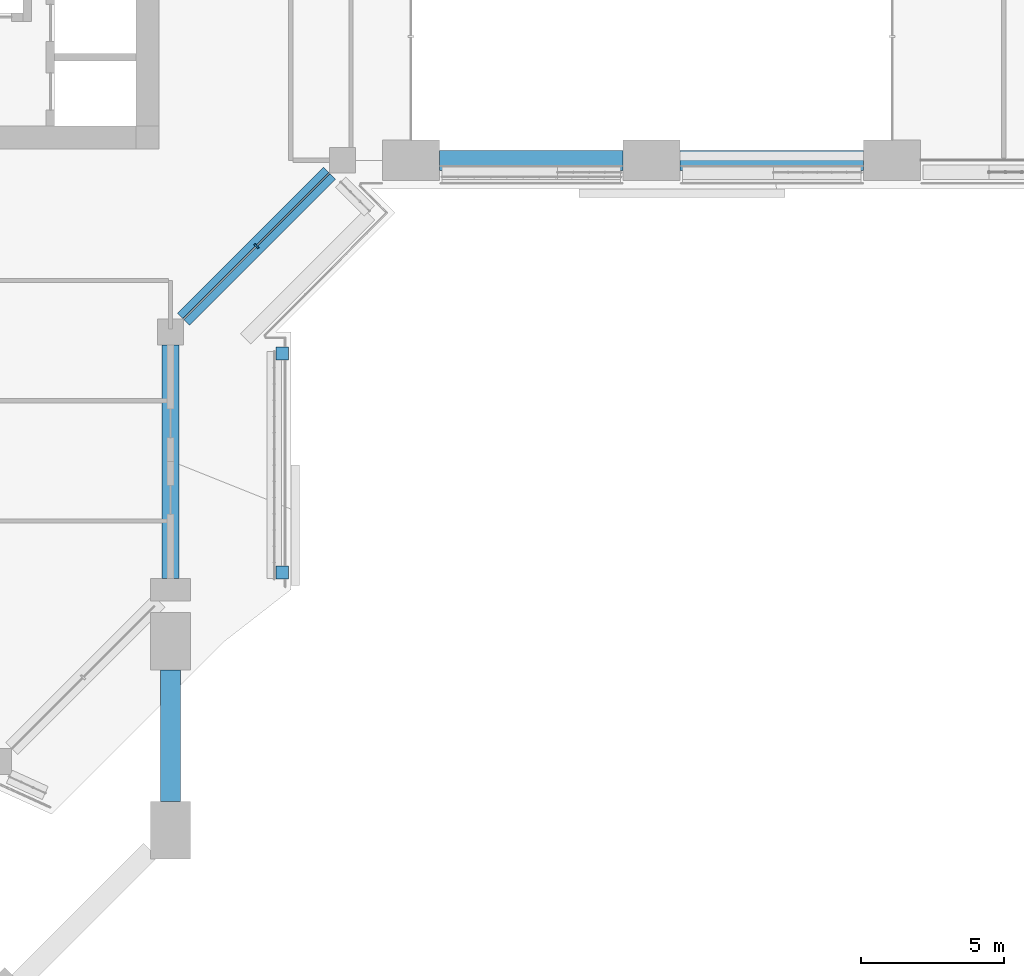
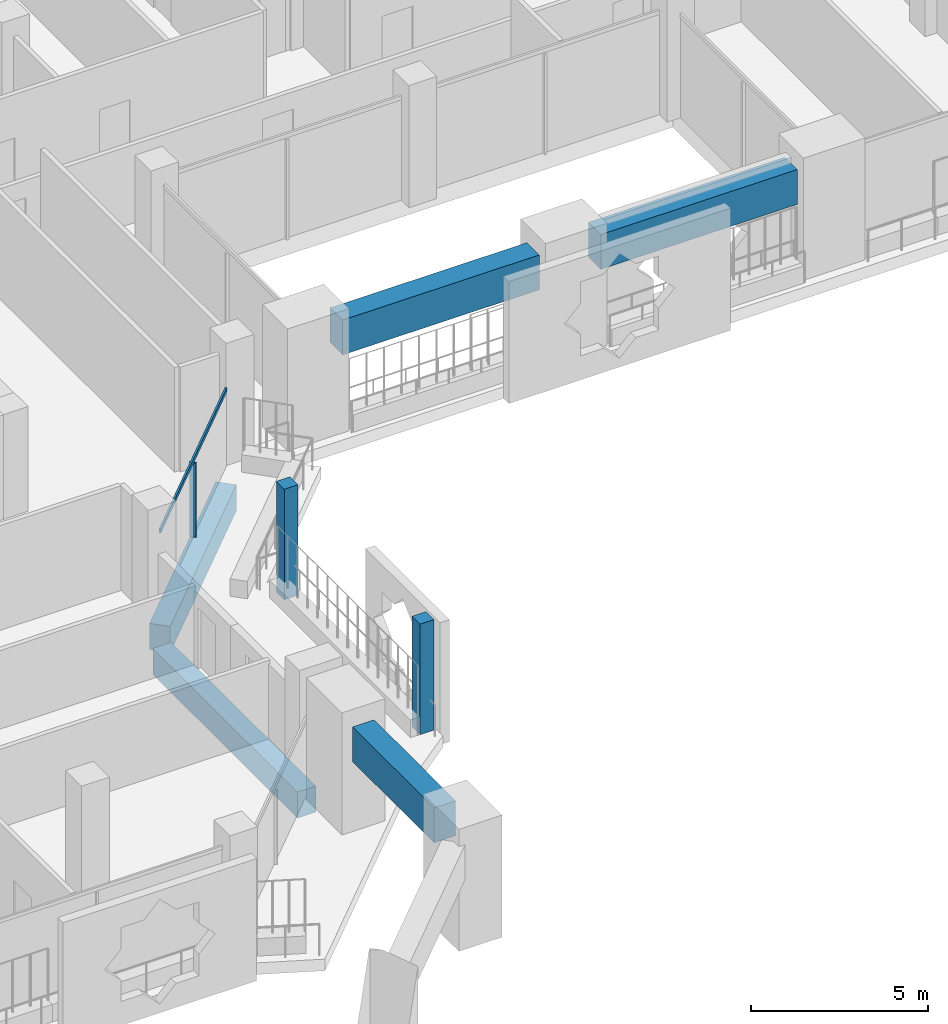
# One storey, part 4 of 23: 5 beams, 4 members, 2 elements without a shape of their own.
"""IFC4 building model written with IfcOpenShell, lengths in metres."""

import ifcopenshell
import ifcopenshell.guid

model = None  # the IFC model being written
_history = None  # IfcOwnerHistory: only IFC2X3 demands one
_inside = {}  # id of a spatial element -> (the spatial element, [elements in it])
_under = {}  # id of a project, library or spatial element -> (it, [spatial elements below it])
_declared = {}  # id of a project -> (the project, [libraries it declares])
_typed = {}  # id of a type object -> (the type object, [elements of that type])
_made_of = {}  # id of a material, layer set ... -> (it, [elements and type objects made of it])


def new_model(schema):
    """Start an empty IFC model of exactly this schema.

    Asked for "IFC4X3", IfcOpenShell would pick the latest addendum, in which some entities
    have other attributes; the version numbers below select the first issue.
    IFC2X3 requires an IfcOwnerHistory on every rooted entity: one is made here for all.
    """
    global model, _history
    if schema == "IFC4X3":
        model = ifcopenshell.file(schema_version=(4, 3, 0, 0))
    else:
        model = ifcopenshell.file(schema=schema)
    _inside.clear()
    _under.clear()
    _declared.clear()
    _typed.clear()
    _made_of.clear()
    _history = None
    if model.schema == "IFC2X3":
        org = make("IfcOrganization", Name="unknown")
        user = make(
            "IfcPersonAndOrganization",
            ThePerson=make("IfcPerson", FamilyName="unknown"),
            TheOrganization=org,
        )
        app = make(
            "IfcApplication",
            ApplicationDeveloper=org,
            Version="unknown",
            ApplicationFullName="unknown",
            ApplicationIdentifier="unknown",
        )
        _history = make(
            "IfcOwnerHistory",
            OwningUser=user,
            OwningApplication=app,
            ChangeAction="ADDED",
            CreationDate=0,
        )
    return model


def make(cls, **values):
    """One entity of the class cls with the attributes given. An attribute that is None is left unset."""
    return model.create_entity(
        cls, **{name: value for name, value in values.items() if value is not None}
    )


def rooted(cls, **values):
    """An entity with a GlobalId (a new one), such as an element, a storey or a relation."""
    return make(cls, GlobalId=ifcopenshell.guid.new(), OwnerHistory=_history, **values)


def si_unit(unit_type, name, prefix=None):
    """IfcSIUnit, for example si_unit("LENGTHUNIT", "METRE", prefix="MILLI")."""
    return make("IfcSIUnit", UnitType=unit_type, Prefix=prefix, Name=name)


def assignment(units):
    """IfcUnitAssignment: the units of a project."""
    return None if units is None else make("IfcUnitAssignment", Units=units)


def point(xyz):
    """IfcCartesianPoint."""
    return None if xyz is None else make("IfcCartesianPoint", Coordinates=xyz)


def direction(xyz):
    """IfcDirection."""
    return None if xyz is None else make("IfcDirection", DirectionRatios=xyz)


def frame(location, z_axis=None, x_axis=None):
    """IfcAxis2Placement3D, a coordinate frame: its origin and axes. An axis left out is left unset."""
    return make(
        "IfcAxis2Placement3D",
        Location=point(location),
        Axis=direction(z_axis),
        RefDirection=direction(x_axis),
    )


def frame_2d(location, x_axis=None):
    """IfcAxis2Placement2D, a coordinate frame in the plane: its origin and x axis."""
    return make(
        "IfcAxis2Placement2D", Location=point(location), RefDirection=direction(x_axis)
    )


def origin():
    """The frame at (0, 0, 0) with its axes left unset."""
    return frame((0.0, 0.0, 0.0))


def origin_2d():
    """The frame at (0, 0) in the plane with its x axis left unset."""
    return frame_2d((0.0, 0.0))


def place(relative_to, where):
    """IfcLocalPlacement: puts the frame where relative to a parent placement (None: the world)."""
    return make(
        "IfcLocalPlacement", PlacementRelTo=relative_to, RelativePlacement=where
    )


def context(
    kind, dimensions, precision=None, world=None, true_north=None, identifier=None
):
    """IfcGeometricRepresentationContext, for example the 3D "Model" context."""
    return make(
        "IfcGeometricRepresentationContext",
        ContextIdentifier=identifier,
        ContextType=kind,
        CoordinateSpaceDimension=dimensions,
        Precision=precision,
        WorldCoordinateSystem=world,
        TrueNorth=true_north,
    )


def subcontext(parent, identifier, kind, view, scale=None):
    """IfcGeometricRepresentationSubContext, for example "Body" below "Model"."""
    return make(
        "IfcGeometricRepresentationSubContext",
        ContextIdentifier=identifier,
        ContextType=kind,
        ParentContext=parent,
        TargetScale=scale,
        TargetView=view,
    )


def project(units=None, contexts=None):
    """IfcProject with its units and contexts."""
    return rooted(
        "IfcProject",
        Name="project",
        RepresentationContexts=contexts,
        UnitsInContext=assignment(units),
    )


def spatial(cls, under=None, at=None, **own):
    """A site, building, storey or space (cls), placed at a placement, below another one or the project."""
    s = rooted(cls, ObjectPlacement=at, **own)
    if under is not None:
        _under.setdefault(under.id(), (under, []))[1].append(s)
    return s


def profile(cls, at=None, kind="AREA", **sizes):
    """A parametric profile (cls). Its sizes go by their IFC names, for example OverallWidth=200.0."""
    return make(cls, ProfileType=kind, Position=at, **sizes)


def rectangle(**sizes):
    """IfcRectangleProfileDef."""
    return profile("IfcRectangleProfileDef", **sizes)


def extrude(swept, where, along, depth):
    """IfcExtrudedAreaSolid: the profile swept, set in the frame where, extruded along a direction by depth."""
    return make(
        "IfcExtrudedAreaSolid",
        SweptArea=swept,
        Position=where,
        ExtrudedDirection=direction(along),
        Depth=depth,
    )


def shape(context_of_items, identifier, shape_type, items):
    """IfcShapeRepresentation: the items that make up one representation, for example the "Body"."""
    return make(
        "IfcShapeRepresentation",
        ContextOfItems=context_of_items,
        RepresentationIdentifier=identifier,
        RepresentationType=shape_type,
        Items=items,
    )


def material(Name=None, Category=None):
    """IfcMaterial."""
    return make("IfcMaterial", Name=Name, Category=Category)


def layer(
    of_material, thickness, ventilated=None, Name=None, Category=None, Priority=None
):
    """IfcMaterialLayer: one layer of a wall or slab, of a material (None: an air gap)."""
    return make(
        "IfcMaterialLayer",
        Material=of_material,
        LayerThickness=thickness,
        IsVentilated=ventilated,
        Name=Name,
        Category=Category,
        Priority=Priority,
    )


def layer_set(layers, Name=None):
    """IfcMaterialLayerSet."""
    return make("IfcMaterialLayerSet", MaterialLayers=layers, LayerSetName=Name)


def material_profile(
    of_material, cross_section, Name=None, Category=None, Priority=None
):
    """IfcMaterialProfile: a cross section and its material."""
    return make(
        "IfcMaterialProfile",
        Name=Name,
        Material=of_material,
        Profile=cross_section,
        Priority=Priority,
        Category=Category,
    )


def profile_set(profiles, Name=None, composite=None):
    """IfcMaterialProfileSet."""
    return make(
        "IfcMaterialProfileSet",
        Name=Name,
        MaterialProfiles=profiles,
        CompositeProfile=composite,
    )


def made_of(thing, what):
    """Note that an element or type object is made of a material, layer set ...; save() writes the relation."""
    if what is not None:
        _made_of.setdefault(what.id(), (what, []))[1].append(thing)
    return thing


def type_object(cls, material=None, **own):
    """A type object (cls), such as IfcWallType, which elements share."""
    return made_of(rooted(cls, **own), material)


def element(
    cls,
    number,
    at=None,
    inside=None,
    cuts=None,
    type_object=None,
    material=None,
    context=None,
    identifier="Body",
    shape_type=None,
    held_by="IfcProductDefinitionShape",
    body=None,
    shapes=None,
    **own,
):
    """One element of the class cls, such as IfcWall. Its Tag is "e" and its number.

    at: its placement. inside: the storey or other place that contains it. cuts: it is an
    opening in that element (IfcRelVoidsElement). A single representation is given by context,
    identifier, shape_type and body (its items); several are given by shapes. held_by: the class
    of the entity that holds the representations. save() writes the other relations.
    """
    e = rooted(cls, Tag="e%d" % number, ObjectPlacement=at, **own)
    if body is not None:
        shapes = [shape(context, identifier, shape_type, body)]
    if shapes is not None:
        e.Representation = make(held_by, Representations=shapes)
    if inside is not None:
        _inside.setdefault(inside.id(), (inside, []))[1].append(e)
    if cuts is not None:
        rooted(
            "IfcRelVoidsElement", RelatingBuildingElement=cuts, RelatedOpeningElement=e
        )
    if type_object is not None:
        _typed.setdefault(type_object.id(), (type_object, []))[1].append(e)
    return made_of(e, material)


def aggregate(whole, parts):
    """IfcRelAggregates: a whole, such as a stair, and the parts it consists of."""
    return rooted("IfcRelAggregates", RelatingObject=whole, RelatedObjects=parts)


def save(model, path):
    """Write the relations noted so far, then the file.

    IfcRelAggregates (storeys below a building ...), IfcRelContainedInSpatialStructure (elements
    in a storey), IfcRelDefinesByType, IfcRelAssociatesMaterial and IfcRelDeclares: one each for
    every whole, place, type object, material and project.
    """
    for whole, parts in _under.values():
        aggregate(whole, parts)
    for where, things in _inside.values():
        rooted(
            "IfcRelContainedInSpatialStructure",
            RelatedElements=things,
            RelatingStructure=where,
        )
    for kind, things in _typed.values():
        rooted("IfcRelDefinesByType", RelatedObjects=things, RelatingType=kind)
    for what, things in _made_of.values():
        rooted("IfcRelAssociatesMaterial", RelatedObjects=things, RelatingMaterial=what)
    for by, libraries in _declared.values():
        rooted("IfcRelDeclares", RelatingContext=by, RelatedDefinitions=libraries)
    model.write(path)


model = new_model("IFC4")

# Units and contexts
model_context = context("Model", 3, precision=1e-05, world=origin(), true_north=direction((0.0, 1.0)))
body_context = subcontext(model_context, "Body", "Model", "MODEL_VIEW")
ifc_project = project(units=[si_unit("LENGTHUNIT", "METRE"), si_unit("AREAUNIT", "SQUARE_METRE"), si_unit("VOLUMEUNIT", "CUBIC_METRE"), si_unit("PLANEANGLEUNIT", "RADIAN"), si_unit("MASSUNIT", "GRAM", prefix="KILO")], contexts=[model_context])

# Site, building, storey
site_placement = place(None, origin())
site = spatial("IfcSite", under=ifc_project, at=site_placement, CompositionType="ELEMENT")
building_placement = place(site_placement, origin())
building = spatial("IfcBuilding", under=site, at=building_placement, Name="Kawkab Arch Medical Tower", CompositionType="ELEMENT")
storey_placement = place(building_placement, frame((0.0, 0.0, 226.39990234375)))
storey = spatial("IfcBuildingStorey", under=building, at=storey_placement, Name="L52", CompositionType="ELEMENT", Elevation=226.39990234375)

# Curtain wall, members
ifc_material_1 = material(Name="Bronze anodised aluminium curtain wall frame", Category="aluminium")
ifc_layer_1 = layer(ifc_material_1, 0.159912109375)
ifc_layer_set_1 = layer_set([ifc_layer_1], Name="Bronze anodised aluminium curtain wall frame")
curtain_wall_type_1 = type_object("IfcCurtainWallType", Name="CW2 chamfer curtain wall", PredefinedType="NOTDEFINED", material=ifc_layer_set_1)
placement = place(storey_placement, origin())
curtain_wall_1 = element("IfcCurtainWall", 1, at=placement, inside=storey, type_object=curtain_wall_type_1, Name="CW2 Chamfer curtain wall R16", PredefinedType="NOTDEFINED")
ifc_material_2 = material(Name="Bronze anodised aluminium curtain wall frame", Category="aluminium")
ifc_material_profile_1 = material_profile(ifc_material_2, rectangle(XDim=0.199951171875, YDim=0.06005859375, at=origin_2d()), Name="AL 60x200")
ifc_profile_set_1 = profile_set([ifc_material_profile_1], Name="Bronze anodised aluminium curtain wall frame")
member_type_1 = type_object("IfcMemberType", Name="CW2 mullion 60 x 200", PredefinedType="MULLION", material=ifc_profile_set_1)
member_1_placement = place(storey_placement, frame((28.199951171875, -28.199951171875, 0.0), z_axis=(0.0, 0.0, 1.0), x_axis=(-0.707106781187, 0.707106781187, 0.0)))
member_1 = element("IfcMember", 2, at=member_1_placement, type_object=member_type_1, Name="CW2 mullion 1.1", PredefinedType="MULLION", context=body_context, shape_type="SweptSolid", body=[
    extrude(rectangle(XDim=0.199951171875, YDim=0.06005859375, at=origin_2d()), origin(), (0.0, 0.0, 1.0), 2.56005859375),
])
ifc_material_3 = material(Name="Bronze anodised aluminium curtain wall frame", Category="aluminium")
ifc_material_profile_2 = material_profile(ifc_material_3, rectangle(XDim=0.06005859375, YDim=0.139892578125, at=origin_2d()), Name="AL 60x140")
ifc_profile_set_2 = profile_set([ifc_material_profile_2], Name="Bronze anodised aluminium curtain wall frame")
member_type_2 = type_object("IfcMemberType", Name="CW2 transom 140 x 60", PredefinedType="USERDEFINED", material=ifc_profile_set_2)
member_2_placement = place(storey_placement, frame((25.64990234375, -30.75, 2.630126953125), z_axis=(0.707106781187, 0.707106781187, 0.0), x_axis=(-0.707106781187, 0.707106781187, 0.0)))
member_2 = element("IfcMember", 3, at=member_2_placement, type_object=member_type_2, Name="CW2 transom 1", ObjectType="TRANSOM", PredefinedType="USERDEFINED", context=body_context, shape_type="SweptSolid", body=[
    extrude(rectangle(XDim=0.06005859375, YDim=0.139892578125, at=origin_2d()), origin(), (0.0, 0.0, 1.0), 7.212646484375),
])
aggregate(curtain_wall_1, [member_2, member_1])

ifc_material_4 = material(Name="Bronze anodised aluminium climber frame, planted", Category="aluminium")
ifc_layer_2 = layer(ifc_material_4, 0.449951171875)
ifc_layer_set_2 = layer_set([ifc_layer_2], Name="Bronze anodised aluminium climber frame, planted")
curtain_wall_type_2 = type_object("IfcCurtainWallType", Name="Planted climber frame", PredefinedType="NOTDEFINED", material=ifc_layer_set_2)
curtain_wall_2 = element("IfcCurtainWall", 4, at=placement, inside=storey, type_object=curtain_wall_type_2, Name="Planted climber frame L52", PredefinedType="NOTDEFINED")
ifc_material_5 = material(Name="Bronze anodised aluminium climber frame, planted", Category="aluminium")
ifc_material_profile_3 = material_profile(ifc_material_5, rectangle(XDim=0.449951171875, YDim=0.449951171875, at=origin_2d()), Name="Post 450x450")
ifc_profile_set_3 = profile_set([ifc_material_profile_3], Name="Bronze anodised aluminium climber frame, planted")
member_type_3 = type_object("IfcMemberType", Name="Planted climber post 450 x 450", PredefinedType="MULLION", material=ifc_profile_set_3)
member_3_placement = place(storey_placement, frame((29.10009765625, -31.949951171875, 0.0), z_axis=(0.0, 0.0, 1.0), x_axis=(1.0, 0.0, 0.0)))
member_3 = element("IfcMember", 5, at=member_3_placement, type_object=member_type_3, Name="Planted climber post L52.LOG-01-02.1", PredefinedType="MULLION", context=body_context, shape_type="SweptSolid", body=[
    extrude(rectangle(XDim=0.449951171875, YDim=0.449951171875, at=origin_2d()), origin(), (0.0, 0.0, 1.0), 3.800048828125),
])
member_4_placement = place(storey_placement, frame((29.10009765625, -39.60302734375, 0.0), z_axis=(0.0, 0.0, 1.0), x_axis=(1.0, 0.0, 0.0)))
member_4 = element("IfcMember", 6, at=member_4_placement, type_object=member_type_3, Name="Planted climber post L52.LOG-01-02.2", PredefinedType="MULLION", context=body_context, shape_type="SweptSolid", body=[
    extrude(rectangle(XDim=0.449951171875, YDim=0.449951171875, at=origin_2d()), origin(), (0.0, 0.0, 1.0), 3.800048828125),
])
aggregate(curtain_wall_2, [member_3, member_4])

# Beams
ifc_material_6 = material(Name="Concrete C45/55", Category="concrete")
ifc_material_profile_4 = material_profile(ifc_material_6, rectangle(XDim=0.60009765625, YDim=0.89990234375, at=origin_2d()), Name="RC 600x900")
ifc_profile_set_4 = profile_set([ifc_material_profile_4], Name="Concrete C45/55")
beam_type_1 = type_object("IfcBeamType", Name="RC 600x900 beam C45/55", PredefinedType="BEAM", material=ifc_profile_set_4)
beam_1_placement = place(storey_placement, frame((30.75, -25.64990234375, -1.0498046875), z_axis=(-0.707106781187, -0.707106781187, 0.0), x_axis=(0.707106781187, -0.707106781187, 0.0)))
element("IfcBeam", 7, at=beam_1_placement, inside=storey, type_object=beam_type_1, Name="Overhang edge beam L52-04", PredefinedType="BEAM", context=body_context, shape_type="SweptSolid", body=[
    extrude(rectangle(XDim=0.60009765625, YDim=0.89990234375, at=origin_2d()), origin(), (0.0, 0.0, 1.0), 7.212646484375),
])
beam_2_placement = place(storey_placement, frame((25.199951171875, -31.64990234375, -1.0498046875), z_axis=(0.0, -1.0, 0.0), x_axis=(1.0, 0.0, 0.0)))
element("IfcBeam", 8, at=beam_2_placement, inside=storey, type_object=beam_type_1, Name="Overhang edge beam L52-05", PredefinedType="BEAM", context=body_context, shape_type="SweptSolid", body=[
    extrude(rectangle(XDim=0.60009765625, YDim=0.89990234375, at=origin_2d()), origin(), (0.0, 0.0, 1.0), 8.150146484375),
])
ifc_material_7 = material(Name="Concrete C45/55", Category="concrete")
ifc_material_profile_5 = material_profile(ifc_material_7, rectangle(XDim=0.699951171875, YDim=1.199951171875, at=origin_2d()), Name="RC 700x1200")
ifc_profile_set_5 = profile_set([ifc_material_profile_5], Name="Concrete C45/55")
beam_type_2 = type_object("IfcBeamType", Name="RC 700x1200 beam C45/55", PredefinedType="BEAM", material=ifc_profile_set_5)
beam_3_placement = place(storey_placement, frame((25.199951171875, -43.0, 3.0), z_axis=(0.0, -1.0, 0.0), x_axis=(1.0, 0.0, 0.0)))
element("IfcBeam", 9, at=beam_3_placement, inside=storey, type_object=beam_type_2, Name="Terrace frame beam TF-L50-1-L53-02", PredefinedType="BEAM", context=body_context, shape_type="SweptSolid", body=[
    extrude(rectangle(XDim=0.699951171875, YDim=1.199951171875, at=origin_2d()), origin(), (0.0, 0.0, 1.0), 4.60009765625),
])
for number, where, z_axis, x_axis, name in (
    (10, (49.39990234375, -25.199951171875, 3.0), (-1.0, 0.0, 0.0), (0.0, -1.0, 0.0), "Terrace frame beam TF-L50-2-L53-01"),
    (11, (41.0, -25.199951171875, 3.0), (-1.0, 0.0, 0.0), (0.0, -1.0, 0.0), "Terrace frame beam TF-L50-2-L53-02"),
):
    element("IfcBeam", number, at=place(storey_placement, frame(where, z_axis=z_axis, x_axis=x_axis)), inside=storey, type_object=beam_type_2, Name=name, PredefinedType="BEAM", context=body_context, shape_type="SweptSolid", body=[
        extrude(rectangle(XDim=0.699951171875, YDim=1.199951171875, at=origin_2d()), origin(), (0.0, 0.0, 1.0), 6.39990234375),
    ])

save(model, "model.ifc")
